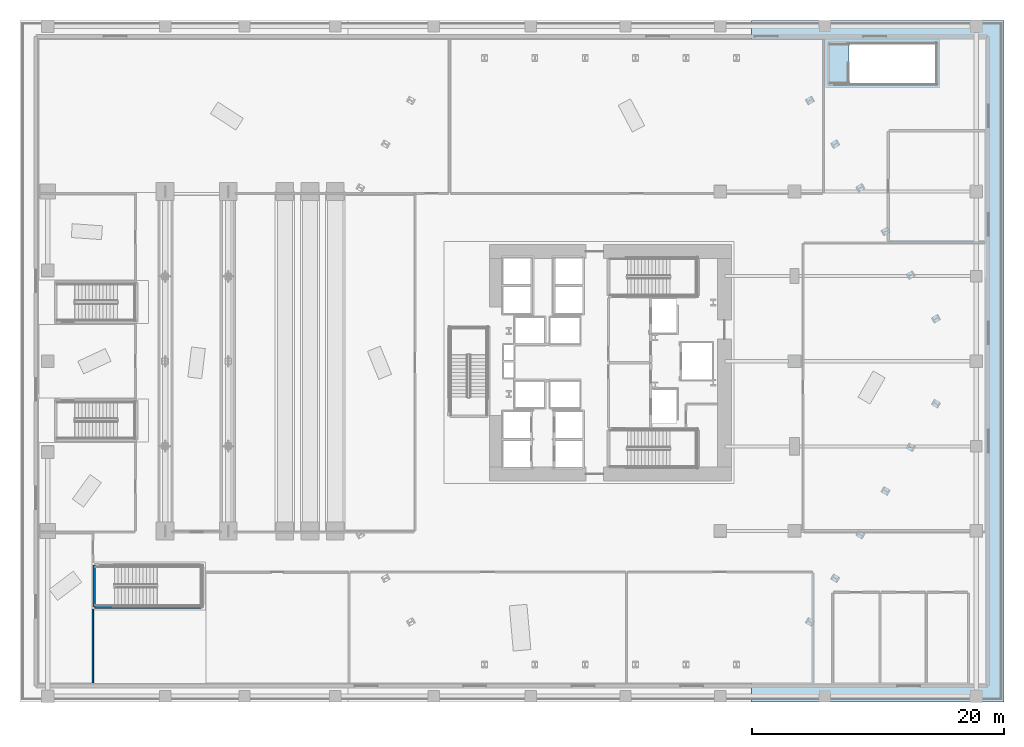
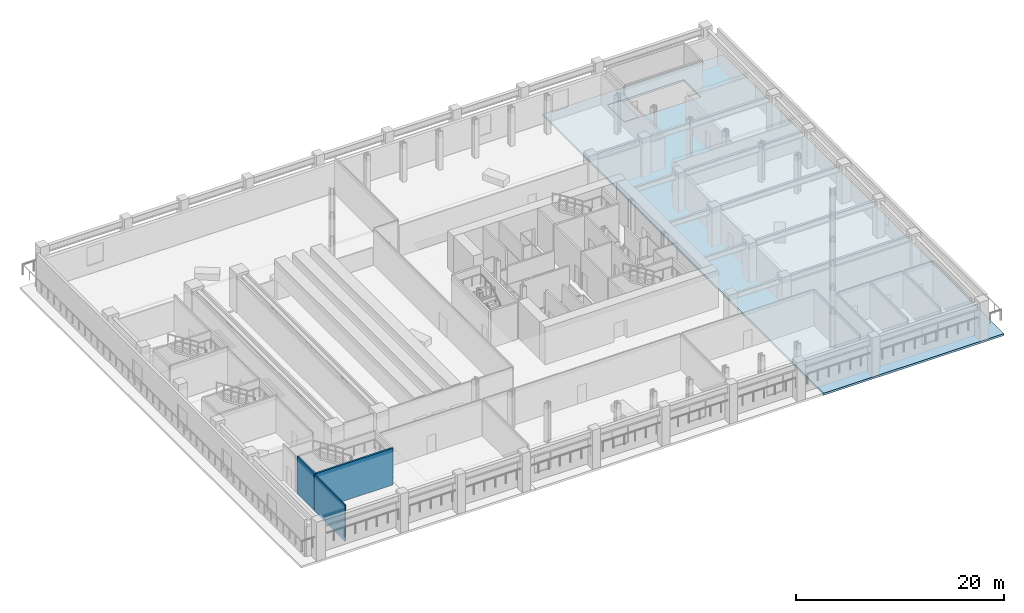
# One storey, part 6 of 24: 3 walls, 2 slabs.
"""IFC4 building model written with IfcOpenShell, lengths in metres."""

from ifc_helpers import new_model, si_unit, direction, frame, frame_2d, origin, place, context, subcontext, project, spatial, polyline, rectangle, outline, extrude, material, layer, layer_set, type_object, element, save


model = new_model("IFC4")

# Units and contexts
model_context = context("Model", 3, precision=1e-05, world=origin(), true_north=direction((0.0, 1.0)))
body_context = subcontext(model_context, "Body", "Model", "MODEL_VIEW")
ifc_project = project(units=[si_unit("LENGTHUNIT", "METRE"), si_unit("AREAUNIT", "SQUARE_METRE"), si_unit("VOLUMEUNIT", "CUBIC_METRE"), si_unit("PLANEANGLEUNIT", "RADIAN"), si_unit("MASSUNIT", "GRAM", prefix="KILO")], contexts=[model_context])

# Site, building, storey
site_placement = place(None, origin())
site = spatial("IfcSite", under=ifc_project, at=site_placement, CompositionType="ELEMENT")
building_placement = place(site_placement, origin())
building = spatial("IfcBuilding", under=site, at=building_placement, Name="Valkerne Bourse Tower", CompositionType="ELEMENT")
storey_placement = place(building_placement, frame((0.0, 0.0, 19.39990234375)))
storey = spatial("IfcBuildingStorey", under=building, at=storey_placement, Name="L04", CompositionType="ELEMENT", Elevation=19.39990234375)

# Slabs
ifc_material_1 = material(Name="Concrete C40/50", Category="concrete")
ifc_layer_1 = layer(ifc_material_1, 0.239990234375)
ifc_layer_set_1 = layer_set([ifc_layer_1], Name="Concrete C40/50")
slab_type_1 = type_object("IfcSlabType", Name="SLB-POD-240", PredefinedType="FLOOR", material=ifc_layer_set_1)
slab_1_placement = place(storey_placement, frame((0.0, 0.0, -0.239990234375)))
element("IfcSlab", 1, at=slab_1_placement, inside=storey, type_object=slab_type_1, Name="L04 Podium Composite Floor Slab E", PredefinedType="FLOOR", context=body_context, shape_type="SweptSolid", body=[
    extrude(outline(polyline([(58.0, 0.0), (58.0, 54.0), (78.0, 54.0), (78.0, 0.0), (58.0, 0.0)]), holes=[polyline([(64.114990234375, 48.93505859375), (72.625, 48.93505859375), (72.625, 52.215087890625), (64.114990234375, 52.215087890625), (64.114990234375, 48.93505859375)])]), origin(), (0.0, 0.0, 1.0), 0.239990234375),
])
ifc_layer_2 = layer(ifc_material_1, 0.25)
ifc_layer_set_2 = layer_set([ifc_layer_2], Name="Concrete C40/50")
slab_type_2 = type_object("IfcSlabType", Name="SLB-RMP-LND-250", PredefinedType="LANDING", material=ifc_layer_set_2)
slab_2_placement = place(storey_placement, frame((0.0, 0.0, -0.239990234375)))
element("IfcSlab", 2, at=slab_2_placement, inside=storey, type_object=slab_type_2, Name="L04 ST-P2 Floor Landing Slab", PredefinedType="LANDING", context=body_context, shape_type="SweptSolid", body=[
    extrude(outline(polyline([(64.1201171875, 48.93994140625), (65.699951171875, 48.93994140625), (65.699951171875, 52.2099609375), (64.1201171875, 52.2099609375), (64.1201171875, 48.93994140625)])), origin(), (0.0, 0.0, 1.0), 0.239990234375),
])

# Walls
ifc_material_2 = material(Name="Gypsum Board Steel-Stud Partition", Category="steel")
ifc_layer_3 = layer(ifc_material_2, 0.117919921875)
ifc_layer_set_3 = layer_set([ifc_layer_3], Name="Gypsum Board Steel-Stud Partition")
wall_type_1 = type_object("IfcWallType", Name="W-CORR-140", PredefinedType="PARTITIONING", material=ifc_layer_set_3)
wall_1_placement = place(storey_placement, frame((5.780029296875, 1.5, 0.0), z_axis=(0.0, 0.0, 1.0), x_axis=(0.0, 1.0, 0.0)))
element("IfcWall", 3, at=wall_1_placement, inside=storey, type_object=wall_type_1, Name="L04 L04 South-West Operations Office Wall", PredefinedType="PARTITIONING", context=body_context, shape_type="SweptSolid", body=[
    extrude(rectangle(XDim=5.85009765625, YDim=0.117919921875, at=frame_2d((2.925048828125, 0.0))), origin(), (0.0, 0.0, 1.0), 4.300048828125),
])
ifc_layer_4 = layer(ifc_material_1, 0.199951171875)
ifc_layer_set_4 = layer_set([ifc_layer_4], Name="Concrete C40/50")
wall_type_2 = type_object("IfcWallType", Name="W-SHF-200", PredefinedType="SHEAR", material=ifc_layer_set_4)
wall_2_placement = place(storey_placement, frame((5.89990234375, 7.5, 0.0), z_axis=(0.0, 0.0, 1.0), x_axis=(1.0, 0.0, 0.0)))
element("IfcWall", 4, at=wall_2_placement, inside=storey, type_object=wall_type_2, Name="L04 Exit Stair ST-P1 Structural South Wall", PredefinedType="SHEAR", context=body_context, shape_type="SweptSolid", body=[
    extrude(rectangle(XDim=8.60009765625, YDim=0.199951171875, at=frame_2d((4.300048828125, 0.0))), origin(), (0.0, 0.0, 1.0), 4.300048828125),
])
wall_3_placement = place(storey_placement, frame((5.89990234375, 7.5, 0.0), z_axis=(0.0, 0.0, 1.0), x_axis=(0.0, 1.0, 0.0)))
element("IfcWall", 5, at=wall_3_placement, inside=storey, type_object=wall_type_2, Name="L04 Exit Stair ST-P1 Structural West Wall", PredefinedType="SHEAR", context=body_context, shape_type="SweptSolid", body=[
    extrude(rectangle(XDim=3.35009765625, YDim=0.199951171875, at=frame_2d((1.675048828125, 0.0))), origin(), (0.0, 0.0, 1.0), 4.300048828125),
])

save(model, "model.ifc")
